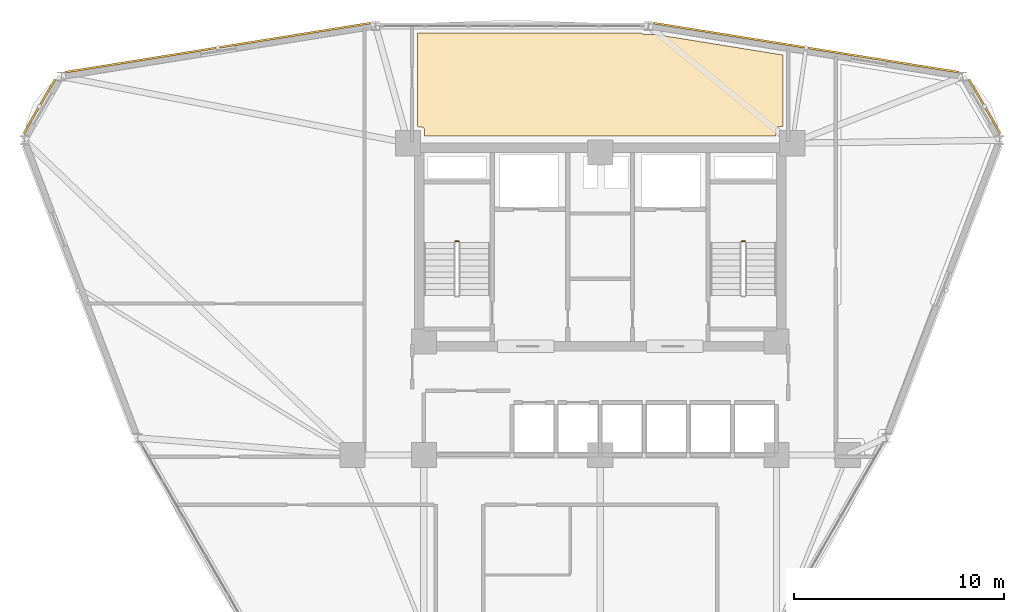
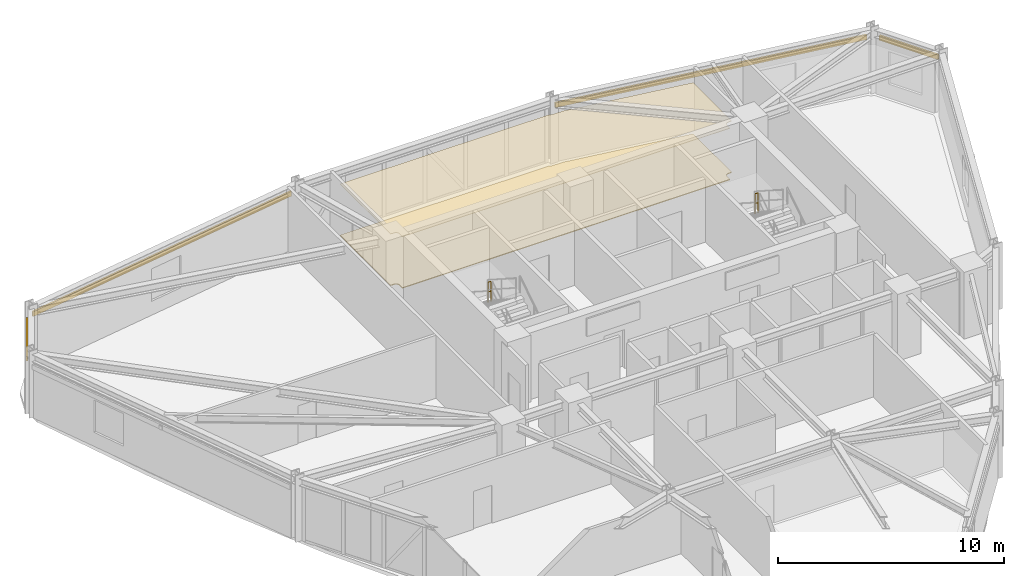
# One storey, part 15 of 15: 4 shading devices, 2 coverings, 2 railings.
"""IFC4 building model written with IfcOpenShell, lengths in metres."""

from ifc_helpers import new_model, si_unit, derived_unit, direction, frame, origin, origin_2d, place, context, subcontext, project, spatial, polyline, hollow_rectangle, circle, outline, extrude, source, transform, mapped, material, layer, layer_set, material_profile, profile_set, type_object, element, save


model = new_model("IFC4")

# Units and contexts
model_context = context("Model", 3, precision=1e-05, world=origin(), true_north=direction((0.0, 1.0)))
body_context = subcontext(model_context, "Body", "Model", "MODEL_VIEW")
ifc_project = project(units=[si_unit("LENGTHUNIT", "METRE"), si_unit("AREAUNIT", "SQUARE_METRE"), si_unit("VOLUMEUNIT", "CUBIC_METRE"), si_unit("PLANEANGLEUNIT", "RADIAN"), si_unit("MASSUNIT", "GRAM", prefix="KILO"), derived_unit("THERMALTRANSMITTANCEUNIT", [(si_unit("POWERUNIT", "WATT"), 1), (si_unit("LENGTHUNIT", "METRE"), -2), (si_unit("THERMODYNAMICTEMPERATUREUNIT", "KELVIN"), -1)])], contexts=[model_context])

# Site, building, storey
site_placement = place(None, origin())
site = spatial("IfcSite", under=ifc_project, at=site_placement, CompositionType="ELEMENT")
building_placement = place(site_placement, origin())
building = spatial("IfcBuilding", under=site, at=building_placement, Name="Korsvarv Bourse and Concert Hall", CompositionType="ELEMENT")
storey_placement = place(building_placement, frame((0.0, 0.0, 150.60009765625)))
storey = spatial("IfcBuildingStorey", under=building, at=storey_placement, Name="L38", CompositionType="ELEMENT", Elevation=150.60009765625)

# Coverings
ifc_material_1 = material(Name="Perforated mineral-wool and birch acoustic baffle ceiling", Category="wood")
ifc_layer_1 = layer(ifc_material_1, 0.02490234375)
ifc_layer_set_1 = layer_set([ifc_layer_1], Name="Perforated mineral-wool and birch acoustic baffle ceiling")
covering_type_1 = type_object("IfcCoveringType", Name="COV-CEIL-1", PredefinedType="CEILING", material=ifc_layer_set_1)
covering_1_placement = place(storey_placement, frame((0.0, 0.0, 2.77978515625)))
element("IfcCovering", 1, at=covering_1_placement, inside=storey, type_object=covering_type_1, Name="L38 acoustic baffle ceiling 3", PredefinedType="CEILING", context=body_context, shape_type="SweptSolid", body=[
    extrude(outline(polyline([(37.9560546875, 52.4931640625), (37.982666015625, 52.470703125), (38.012939453125, 52.4541015625), (38.0458984375, 52.443115234375), (38.08056640625, 52.439208984375), (38.50244140625, 52.42919921875), (38.537841796875, 52.431640625), (38.572021484375, 52.441162109375), (44.710693359375, 51.451416015625), (44.7099609375, 48.0400390625), (44.550048828125, 48.0400390625), (44.515380859375, 48.03662109375), (44.482177734375, 48.026611328125), (44.451416015625, 48.010498046875), (44.42431640625, 47.98876953125), (44.40185546875, 47.962158203125), (44.385009765625, 47.931640625), (44.374267578125, 47.898681640625), (44.3701171875, 47.864013671875), (44.364013671875, 47.60009765625), (27.639892578125, 47.60009765625), (27.639892578125, 47.85009765625), (27.63671875, 47.884521484375), (27.626708984375, 47.917724609375), (27.610595703125, 47.948486328125), (27.589111328125, 47.975341796875), (27.562744140625, 47.997802734375), (27.532470703125, 48.014892578125), (27.49951171875, 48.025634765625), (27.465087890625, 48.02978515625), (27.2900390625, 48.034912109375), (27.2900390625, 52.49658203125), (37.9560546875, 52.4931640625)])), origin(), (0.0, 0.0, 1.0), 0.025146484375),
])
ifc_material_2 = material(Name="Calcium-sulphate raised access trading floor with Nordic oak top", Category="wood")
ifc_layer_2 = layer(ifc_material_2, 0.0400390625)
ifc_layer_set_2 = layer_set([ifc_layer_2], Name="Calcium-sulphate raised access trading floor with Nordic oak top")
covering_type_2 = type_object("IfcCoveringType", Name="COV-FLOR-1", PredefinedType="FLOORING", material=ifc_layer_set_2)
covering_2_placement = place(storey_placement, origin())
element("IfcCovering", 2, at=covering_2_placement, inside=storey, type_object=covering_type_2, Name="L38 raised access oak floor finish 3", PredefinedType="FLOORING", context=body_context, shape_type="SweptSolid", body=[
    extrude(outline(polyline([(37.9560546875, 52.4931640625), (37.982666015625, 52.470703125), (38.012939453125, 52.4541015625), (38.0458984375, 52.443115234375), (38.08056640625, 52.439208984375), (38.50244140625, 52.42919921875), (38.537841796875, 52.431640625), (38.572021484375, 52.441162109375), (44.710693359375, 51.451416015625), (44.7099609375, 48.0400390625), (44.550048828125, 48.0400390625), (44.515380859375, 48.03662109375), (44.482177734375, 48.026611328125), (44.451416015625, 48.010498046875), (44.42431640625, 47.98876953125), (44.40185546875, 47.962158203125), (44.385009765625, 47.931640625), (44.374267578125, 47.898681640625), (44.3701171875, 47.864013671875), (44.364013671875, 47.60009765625), (27.639892578125, 47.60009765625), (27.639892578125, 47.85009765625), (27.63671875, 47.884521484375), (27.626708984375, 47.917724609375), (27.610595703125, 47.948486328125), (27.589111328125, 47.975341796875), (27.562744140625, 47.997802734375), (27.532470703125, 48.014892578125), (27.49951171875, 48.025634765625), (27.465087890625, 48.02978515625), (27.2900390625, 48.034912109375), (27.2900390625, 52.49658203125), (37.9560546875, 52.4931640625)])), origin(), (0.0, 0.0, 1.0), 0.039794921875),
])

# Railings
ifc_material_3 = material(Name="Painted Steel S355 stair well guardrail", Category="steel")
railing_type = type_object("IfcRailingType", Name="RL-ST-GRD", PredefinedType="GUARDRAIL", material=ifc_material_3)
for number, where, name in (
    (3, (29.260009765625, 42.570068359375, 1.7998046875), "L38 ST-T1 stair guard 2"),
    (4, (42.89990234375, 42.570068359375, 1.7998046875), "L38 ST-T2 stair guard 2"),
):
    element("IfcRailing", number, at=place(storey_placement, frame(where)), inside=storey, type_object=railing_type, Name=name, PredefinedType="GUARDRAIL", context=body_context, shape_type="SweptSolid", body=[
        extrude(circle(Radius=0.02392578125, at=origin_2d()), frame((0.0, 0.0, 1.076171875), z_axis=(-1.0, 0.0, 0.0), x_axis=(0.0, -1.0, 0.0)), (0.0, 0.0, 1.0), 0.159912109375),
        extrude(circle(Radius=0.02392578125, at=origin_2d()), frame((0.0, 0.0, 0.550048828125), z_axis=(-1.0, 0.0, 0.0), x_axis=(0.0, -1.0, 0.0)), (0.0, 0.0, 1.0), 0.159912109375),
        extrude(circle(Radius=0.02099609375, at=origin_2d()), origin(), (0.0, 0.0, 1.0), 1.052001953125),
        extrude(circle(Radius=0.02099609375, at=origin_2d()), frame((-0.159912109375, 0.0, 0.0)), (0.0, 0.0, 1.0), 1.052001953125),
    ])

# Shading devices
ifc_material_4 = material(Name="Glazed extruded architectural terracotta", Category="ceramic")
ifc_material_profile = material_profile(ifc_material_4, hollow_rectangle(XDim=0.090087890625, YDim=0.260009765625, WallThickness=0.011962890625, at=origin_2d()), Name="TC-BAG 90x260")
ifc_profile_set = profile_set([ifc_material_profile], Name="Glazed extruded architectural terracotta")
shading_device_type = type_object("IfcShadingDeviceType", Name="SHD-BAG-1", PredefinedType="USERDEFINED", material=ifc_profile_set)
shared_shape_1 = source(origin(), body_context, "Body", "SweptSolid", [
    extrude(hollow_rectangle(XDim=0.090087890625, YDim=0.260009765625, WallThickness=0.011962890625, at=origin_2d()), origin(), (0.0, 0.0, 1.0), 2.991943359375),
])
for number, where, z_axis, x_axis, name in (
    (5, (55.065673828125, 47.705078125, 2.83984375), (-0.499974392705, 0.866040187658, 0.0), (-0.866040187658, -0.499974392705, 0.0), "L38 terracotta baguette sunshade EW-L38-B01"),
    (6, (10.0302734375, 50.296142578125, 2.83984375), (-0.500035592419, -0.866004853516, 0.0), (0.866004853516, -0.500035592419, 0.0), "L38 terracotta baguette sunshade EW-L38-B05"),
):
    element("IfcShadingDevice", number, at=place(storey_placement, frame(where, z_axis=z_axis, x_axis=x_axis)), inside=storey, type_object=shading_device_type, Name=name, ObjectType="BAGUETTE", PredefinedType="USERDEFINED", context=body_context, shape_type="MappedRepresentation", body=[
        mapped(shared_shape_1, transform((0.0, 0.0, 0.0), scale=1.0)),
    ])
shared_shape_2 = source(origin(), body_context, "Body", "SweptSolid", [
    extrude(hollow_rectangle(XDim=0.090087890625, YDim=0.260009765625, WallThickness=0.011962890625, at=origin_2d()), origin(), (0.0, 0.0, 1.0), 14.74560546875),
])
shading_device_1_placement = place(storey_placement, frame((53.097900390625, 50.6328125, 2.83984375), z_axis=(-0.987300662856, 0.158862837452, 0.0), x_axis=(-0.158862837452, -0.987300662856, 0.0)))
element("IfcShadingDevice", 7, at=shading_device_1_placement, inside=storey, type_object=shading_device_type, Name="L38 terracotta baguette sunshade EW-L38-B02", ObjectType="BAGUETTE", PredefinedType="USERDEFINED", context=body_context, shape_type="MappedRepresentation", body=[
    mapped(shared_shape_2, transform((0.0, 0.0, 0.0), scale=1.0)),
])
shared_shape_3 = source(origin(), body_context, "Body", "SweptSolid", [
    extrude(hollow_rectangle(XDim=0.090087890625, YDim=0.260009765625, WallThickness=0.011962890625, at=origin_2d()), origin(), (0.0, 0.0, 1.0), 14.745361328125),
])
shading_device_2_placement = place(storey_placement, frame((25.060302734375, 52.975341796875, 2.789794921875), z_axis=(-0.987300244995, -0.158865434357, 0.0), x_axis=(0.158865434357, -0.987300244995, 0.0)))
element("IfcShadingDevice", 8, at=shading_device_2_placement, inside=storey, type_object=shading_device_type, Name="L38 terracotta baguette sunshade EW-L38-B04", ObjectType="BAGUETTE", PredefinedType="USERDEFINED", context=body_context, shape_type="MappedRepresentation", body=[
    mapped(shared_shape_3, transform((0.0, 0.0, 0.0), scale=1.0)),
])

save(model, "model.ifc")
